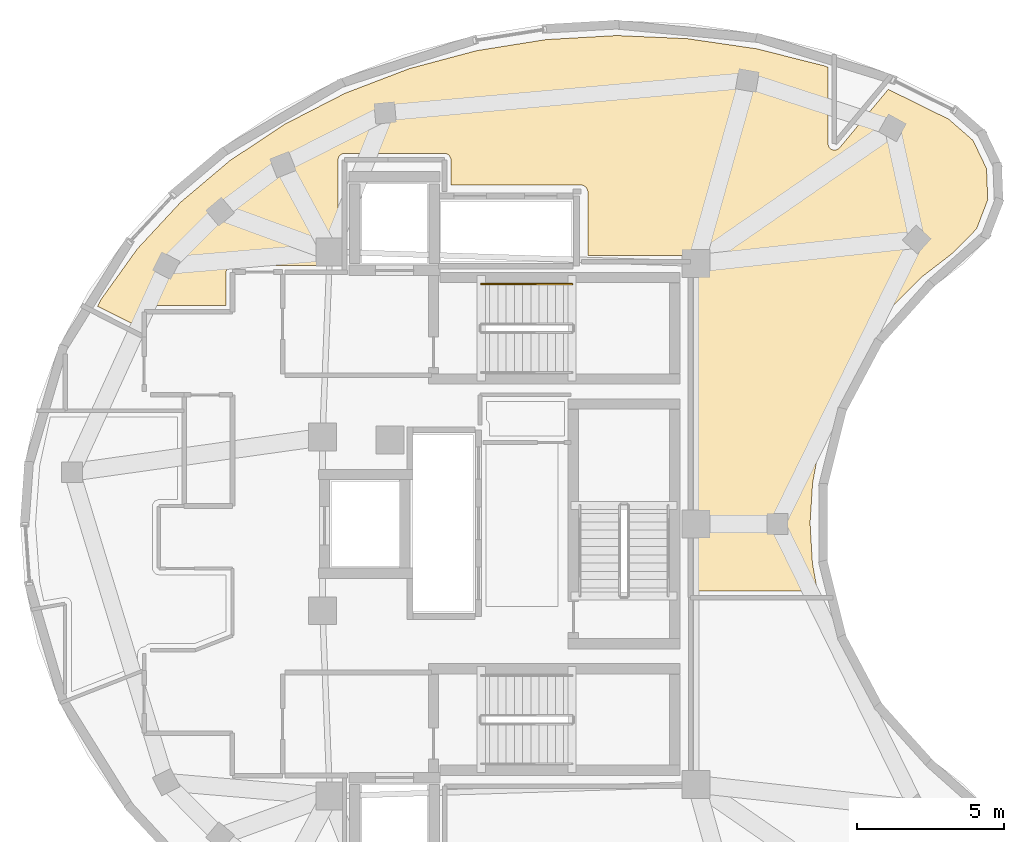
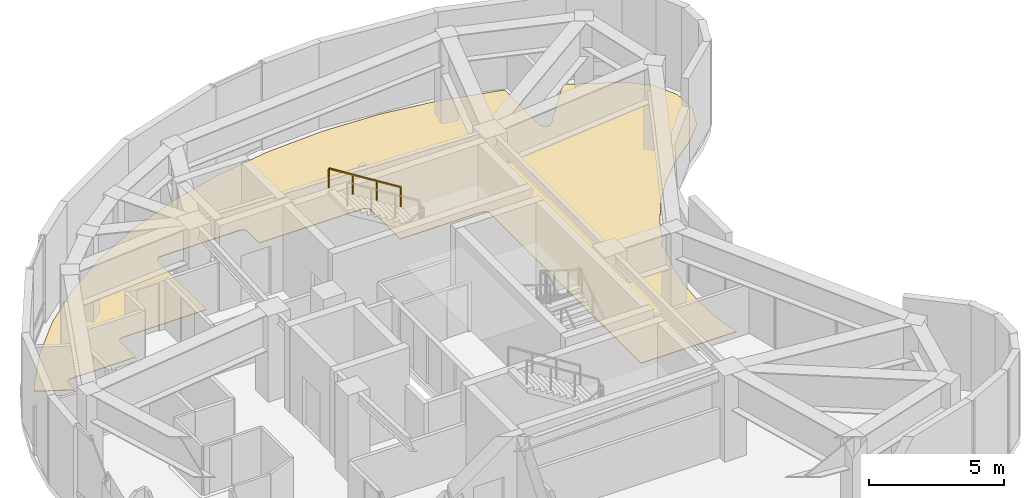
# One storey, part 8 of 8: 1 covering, 1 railing.
"""IFC4 building model written with IfcOpenShell, lengths in metres."""

from ifc_helpers import new_model, si_unit, direction, frame, origin, origin_2d, place, context, subcontext, project, spatial, polyline, rectangle, outline, extrude, material, layer, layer_set, type_object, element, save


model = new_model("IFC4")

# Units and contexts
model_context = context("Model", 3, precision=1e-05, world=origin(), true_north=direction((0.0, 1.0)))
body_context = subcontext(model_context, "Body", "Model", "MODEL_VIEW")
ifc_project = project(units=[si_unit("LENGTHUNIT", "METRE"), si_unit("AREAUNIT", "SQUARE_METRE"), si_unit("VOLUMEUNIT", "CUBIC_METRE"), si_unit("PLANEANGLEUNIT", "RADIAN"), si_unit("MASSUNIT", "GRAM", prefix="KILO")], contexts=[model_context])

# Site, building, storey
site_placement = place(None, origin())
site = spatial("IfcSite", under=ifc_project, at=site_placement, CompositionType="ELEMENT")
building_placement = place(site_placement, origin())
building = spatial("IfcBuilding", under=site, at=building_placement, Name="Korentha Bioscience Tower", CompositionType="ELEMENT")
storey_placement = place(building_placement, frame((0.0, 0.0, 331.199951171875)))
storey = spatial("IfcBuildingStorey", under=building, at=storey_placement, Name="L76", CompositionType="ELEMENT", Elevation=331.199951171875)

# Railing
ifc_material_1 = material(Name="Stainless Steel 304", Category="steel")
railing_type = type_object("IfcRailingType", Name="Brushed Stainless Stair Handrail 900", PredefinedType="HANDRAIL", material=ifc_material_1)
railing_placement = place(storey_placement, frame((33.330078125, 35.14990234375, 2.275146484375)))
element("IfcRailing", 1, at=railing_placement, inside=storey, type_object=railing_type, Name="L76 ST-1 stair handrail 2", PredefinedType="HANDRAIL", context=body_context, shape_type="SweptSolid", body=[
    extrude(rectangle(XDim=0.048095703125, YDim=0.048095703125, at=origin_2d()), frame((0.0, 0.0, 0.8759765625), z_axis=(-0.848028513186, 0.0, 0.529950602248), x_axis=(0.0, -1.0, 0.0)), (0.0, 0.0, 1.0), 3.632080078125),
    extrude(rectangle(XDim=0.0419921875, YDim=0.0419921875, at=origin_2d()), origin(), (0.0, 0.0, 1.0), 0.851806640625),
    extrude(rectangle(XDim=0.0419921875, YDim=0.0419921875, at=origin_2d()), frame((-1.026611328125, 0.0, 0.6416015625)), (0.0, 0.0, 1.0), 0.851806640625),
    extrude(rectangle(XDim=0.0419921875, YDim=0.0419921875, at=origin_2d()), frame((-2.053466796875, 0.0, 1.283203125)), (0.0, 0.0, 1.0), 0.851806640625),
    extrude(rectangle(XDim=0.0419921875, YDim=0.0419921875, at=origin_2d()), frame((-3.080078125, 0.0, 1.9248046875)), (0.0, 0.0, 1.0), 0.851806640625),
])

# Covering
ifc_material_2 = material(Name="Honed Travertine Limestone", Category="masonry")
ifc_layer = layer(ifc_material_2, 0.02490234375, Name="Honed Travertine Limestone")
ifc_layer_set = layer_set([ifc_layer], Name="Honed Travertine Limestone (FL-STN)")
covering_type = type_object("IfcCoveringType", Name="Honed Travertine Lobby Stone Flooring 25", PredefinedType="FLOORING", material=ifc_layer_set)
covering_placement = place(storey_placement, origin())
element("IfcCovering", 2, at=covering_placement, inside=storey, type_object=covering_type, Name="L76 Biospecimen Archive Store 03 Floor Finish", PredefinedType="FLOORING", context=body_context, shape_type="SweptSolid", body=[
    extrude(outline(polyline([(17.336669921875, 34.64501953125), (18.561767578125, 36.35400390625), (20.025390625, 37.930419921875), (21.706787109375, 39.3505859375), (23.582763671875, 40.59375), (25.625732421875, 41.640625), (27.806396484375, 42.4755859375), (30.092529296875, 43.0859375), (32.451171875, 43.46240234375), (34.84716796875, 43.598876953125), (37.245361328125, 43.493408203125), (39.611572265625, 43.147705078125), (41.908203125, 42.5673828125), (42.02783203125, 42.5234375), (42.0283203125, 39.91650390625), (42.0595703125, 39.8125), (42.135986328125, 39.735595703125), (42.197021484375, 39.7099609375), (42.283447265625, 39.705322265625), (42.3466796875, 39.72412109375), (42.416748046875, 39.775390625), (44.0791015625, 41.77001953125), (46.133056640625, 40.757080078125), (46.9609375, 40.0341796875), (47.418701171875, 39.07763671875), (47.46044921875, 38.01806640625), (47.07958984375, 37.0283203125), (46.29052734375, 36.220947265625), (45.24951171875, 35.4189453125), (44.271484375, 34.45361328125), (43.425048828125, 33.384033203125), (42.736572265625, 32.259521484375), (42.188232421875, 31.0625), (42.10791015625, 31.01953125), (42.04345703125, 30.929931640625), (42.028076171875, 30.853271484375), (42.028076171875, 30.580810546875), (41.747802734375, 29.683349609375), (41.50732421875, 28.38671875), (41.42138671875, 27.031494140625), (41.501708984375, 25.6591796875), (41.67138671875, 24.72802734375), (37.580078125, 24.72802734375), (37.572998046875, 35.956298828125), (37.534912109375, 36.03662109375), (37.4873046875, 36.08447265625), (37.36083984375, 36.129638671875), (33.8701171875, 36.1298828125), (33.86962890625, 38.3017578125), (33.824462890625, 38.427490234375), (33.718017578125, 38.50634765625), (33.639892578125, 38.52001953125), (29.219970703125, 38.52001953125), (29.217529296875, 39.4091796875), (29.161865234375, 39.526611328125), (29.050537109375, 39.59326171875), (25.5498046875, 39.59326171875), (25.43798828125, 39.5263671875), (25.4013671875, 39.4716796875), (25.38037109375, 39.389404296875), (25.3798828125, 35.780029296875), (21.74365234375, 35.77294921875), (21.62939453125, 35.7041015625), (21.572509765625, 35.583251953125), (21.570068359375, 34.429931640625), (18.74462890625, 34.423095703125), (18.645263671875, 34.3701171875), (18.576904296875, 34.25537109375), (18.570068359375, 33.715087890625), (17.205078125, 34.398681640625), (17.336669921875, 34.64501953125)])), origin(), (0.0, 0.0, 1.0), 0.025146484375),
])

save(model, "model.ifc")
